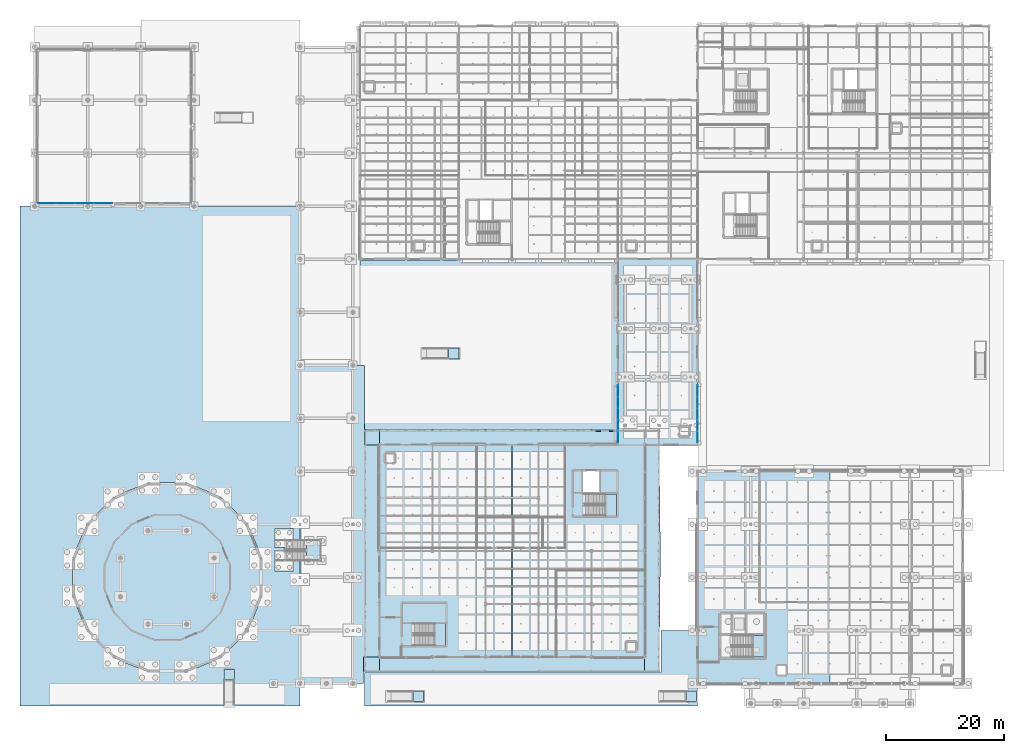
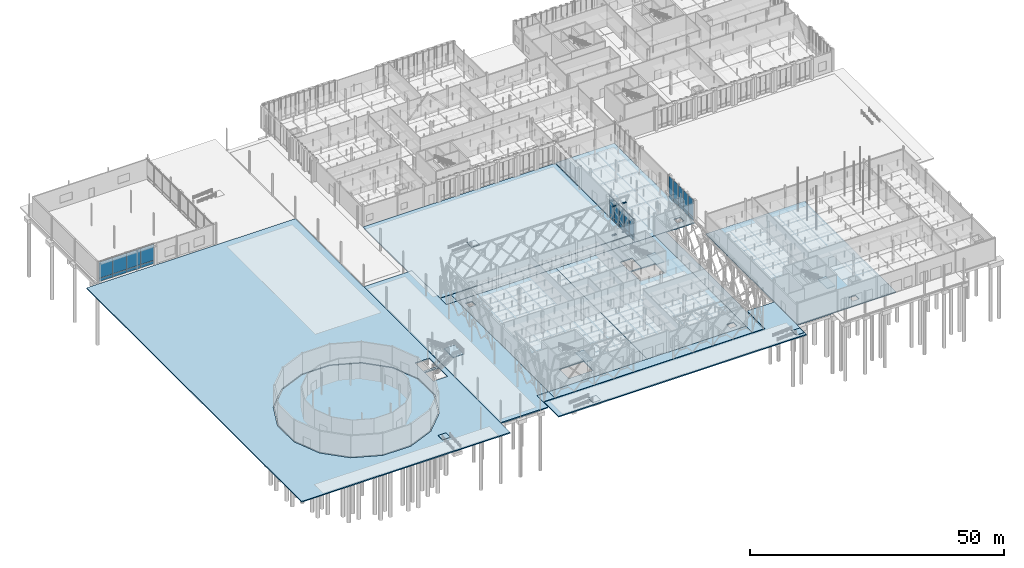
# One storey, part 70 of 180: 28 plates, 22 slabs, 4 members, 11 elements without a shape of their own.
"""IFC4 building model written with IfcOpenShell, lengths in metres."""

from ifc_helpers import new_model, si_unit, direction, frame, origin, origin_2d, place, context, subcontext, project, spatial, polyline, rectangle, hollow_rectangle, outline, extrude, material, layer, layer_set, material_profile, profile_set, type_object, element, aggregate, save


model = new_model("IFC4")

# Units and contexts
model_context = context("Model", 3, precision=1e-05, world=origin(), true_north=direction((0.0, 1.0)))
body_context = subcontext(model_context, "Body", "Model", "MODEL_VIEW")
ifc_project = project(units=[si_unit("LENGTHUNIT", "METRE"), si_unit("AREAUNIT", "SQUARE_METRE"), si_unit("VOLUMEUNIT", "CUBIC_METRE"), si_unit("PLANEANGLEUNIT", "RADIAN"), si_unit("MASSUNIT", "GRAM", prefix="KILO"), si_unit("THERMODYNAMICTEMPERATUREUNIT", "KELVIN"), si_unit("POWERUNIT", "WATT")], contexts=[model_context])

# Site, building, storey
site_placement = place(None, origin())
site = spatial("IfcSite", under=ifc_project, at=site_placement, CompositionType="ELEMENT")
building_placement = place(site_placement, origin())
building = spatial("IfcBuilding", under=site, at=building_placement, Name="Tallowbark Science Centre", CompositionType="ELEMENT")
storey_placement = place(building_placement, origin())
storey = spatial("IfcBuildingStorey", under=building, at=storey_placement, Name="L00", CompositionType="ELEMENT", Elevation=0.0)

# Members
ifc_material_1 = material(Name="White Architectural Painted Steel Grade C350L0 (350 MPa)", Category="steel")
ifc_material_profile = material_profile(ifc_material_1, hollow_rectangle(XDim=0.199951171875, YDim=0.199951171875, WallThickness=0.009033203125, at=origin_2d()), Name="200x200x9.0SHS")
ifc_profile_set = profile_set([ifc_material_profile], Name="White Architectural Painted Steel Grade C350L0 (350 MPa)")
member_type = type_object("IfcMemberType", Name="SCR-SUB150", PredefinedType="BRACE", material=ifc_profile_set)
for number, where, z_axis, x_axis, name in (
    (1, (95.175048828125, 42.89990234375, 1.485107421875), (1.0, 0.0, 0.0), (0.0, 1.0, 0.0), "Star Screen Octagram Point Ray N-9-1"),
    (2, (98.324951171875, 42.89990234375, 1.485107421875), (-1.0, 0.0, 0.0), (0.0, -1.0, 0.0), "Star Screen Octagram Point Ray N-9-3"),
    (3, (98.324951171875, 42.89990234375, 8.4150390625), (-1.0, 0.0, 0.0), (0.0, -1.0, 0.0), "Star Screen Octagram Point Ray N-9-5"),
    (4, (95.175048828125, 42.89990234375, 8.4150390625), (1.0, 0.0, 0.0), (0.0, 1.0, 0.0), "Star Screen Octagram Point Ray N-9-7"),
):
    element("IfcMember", number, at=place(storey_placement, frame(where, z_axis=z_axis, x_axis=x_axis)), inside=storey, type_object=member_type, Name=name, PredefinedType="BRACE", context=body_context, shape_type="SweptSolid", body=[
        extrude(hollow_rectangle(XDim=0.199951171875, YDim=0.199951171875, WallThickness=0.009033203125, at=origin_2d()), origin(), (0.0, 0.0, 1.0), 0.89990234375),
    ])

# Curtain wall, plates
ifc_material_2 = material(Name="Unitised Thermally Broken Aluminium and Low-E Double Glazing", Category="aluminium")
curtain_wall_type = type_object("IfcCurtainWallType", Name="CW-SYS-FACADE", PredefinedType="NOTDEFINED", material=ifc_material_2)
curtain_wall_1_placement = place(storey_placement, origin())
curtain_wall_1 = element("IfcCurtainWall", 5, at=curtain_wall_1_placement, inside=storey, type_object=curtain_wall_type, Name="Unitised Curtain Wall LNK-E-0 CW-L00-007", PredefinedType="NOTDEFINED")
ifc_material_3 = material(Name="Double Glazed Argon Low-E Vision Glass", Category="glass")
ifc_layer_1 = layer(ifc_material_3, 0.028076171875)
ifc_layer_set_1 = layer_set([ifc_layer_1], Name="Double Glazed Argon Low-E Vision Glass")
plate_type_1 = type_object("IfcPlateType", Name="CWP-GLZ-28", PredefinedType="CURTAIN_PANEL", material=ifc_layer_set_1)
plate_1_placement = place(storey_placement, frame((112.5, 41.84619140625, 0.054931640625), z_axis=(0.0, 0.0, 1.0), x_axis=(0.0, 1.0, 0.0)))
plate_1 = element("IfcPlate", 6, at=plate_1_placement, type_object=plate_type_1, Name="CW-01 panel 1.1", PredefinedType="CURTAIN_PANEL", context=body_context, shape_type="SweptSolid", body=[
    extrude(rectangle(XDim=1.862548828125, YDim=0.028076171875, at=origin_2d()), origin(), (0.0, 0.0, 1.0), 0.767578125),
])
plate_2_placement = place(storey_placement, frame((112.5, 41.84619140625, 0.87744140625), z_axis=(0.0, 0.0, 1.0), x_axis=(0.0, 1.0, 0.0)))
plate_2 = element("IfcPlate", 7, at=plate_2_placement, type_object=plate_type_1, Name="CW-01 panel 1.2", PredefinedType="CURTAIN_PANEL", context=body_context, shape_type="SweptSolid", body=[
    extrude(rectangle(XDim=1.862548828125, YDim=0.028076171875, at=origin_2d()), origin(), (0.0, 0.0, 1.0), 4.28759765625),
])
plate_3_placement = place(storey_placement, frame((112.5, 43.7900390625, 0.054931640625), z_axis=(0.0, 0.0, 1.0), x_axis=(0.0, 1.0, 0.0)))
plate_3 = element("IfcPlate", 8, at=plate_3_placement, type_object=plate_type_1, Name="CW-01 panel 2.1", PredefinedType="CURTAIN_PANEL", context=body_context, shape_type="SweptSolid", body=[
    extrude(rectangle(XDim=1.89501953125, YDim=0.028076171875, at=origin_2d()), origin(), (0.0, 0.0, 1.0), 0.767578125),
])
plate_4_placement = place(storey_placement, frame((112.5, 43.7900390625, 0.87744140625), z_axis=(0.0, 0.0, 1.0), x_axis=(0.0, 1.0, 0.0)))
plate_4 = element("IfcPlate", 9, at=plate_4_placement, type_object=plate_type_1, Name="CW-01 panel 2.2", PredefinedType="CURTAIN_PANEL", context=body_context, shape_type="SweptSolid", body=[
    extrude(rectangle(XDim=1.89501953125, YDim=0.028076171875, at=origin_2d()), origin(), (0.0, 0.0, 1.0), 4.28759765625),
])
plate_5_placement = place(storey_placement, frame((112.5, 45.75, 0.054931640625), z_axis=(0.0, 0.0, 1.0), x_axis=(0.0, 1.0, 0.0)))
plate_5 = element("IfcPlate", 10, at=plate_5_placement, type_object=plate_type_1, Name="CW-01 panel 3.1", PredefinedType="CURTAIN_PANEL", context=body_context, shape_type="SweptSolid", body=[
    extrude(rectangle(XDim=1.89501953125, YDim=0.028076171875, at=origin_2d()), origin(), (0.0, 0.0, 1.0), 0.767578125),
])
plate_6_placement = place(storey_placement, frame((112.5, 45.75, 0.87744140625), z_axis=(0.0, 0.0, 1.0), x_axis=(0.0, 1.0, 0.0)))
plate_6 = element("IfcPlate", 11, at=plate_6_placement, type_object=plate_type_1, Name="CW-01 panel 3.2", PredefinedType="CURTAIN_PANEL", context=body_context, shape_type="SweptSolid", body=[
    extrude(rectangle(XDim=1.89501953125, YDim=0.028076171875, at=origin_2d()), origin(), (0.0, 0.0, 1.0), 4.28759765625),
])
plate_7_placement = place(storey_placement, frame((112.5, 47.7099609375, 0.054931640625), z_axis=(0.0, 0.0, 1.0), x_axis=(0.0, 1.0, 0.0)))
plate_7 = element("IfcPlate", 12, at=plate_7_placement, type_object=plate_type_1, Name="CW-01 panel 4.1", PredefinedType="CURTAIN_PANEL", context=body_context, shape_type="SweptSolid", body=[
    extrude(rectangle(XDim=1.89501953125, YDim=0.028076171875, at=origin_2d()), origin(), (0.0, 0.0, 1.0), 0.767578125),
])
plate_8_placement = place(storey_placement, frame((112.5, 47.7099609375, 0.87744140625), z_axis=(0.0, 0.0, 1.0), x_axis=(0.0, 1.0, 0.0)))
plate_8 = element("IfcPlate", 13, at=plate_8_placement, type_object=plate_type_1, Name="CW-01 panel 4.2", PredefinedType="CURTAIN_PANEL", context=body_context, shape_type="SweptSolid", body=[
    extrude(rectangle(XDim=1.89501953125, YDim=0.028076171875, at=origin_2d()), origin(), (0.0, 0.0, 1.0), 4.28759765625),
])
plate_9_placement = place(storey_placement, frame((112.5, 49.65380859375, 0.054931640625), z_axis=(0.0, 0.0, 1.0), x_axis=(0.0, 1.0, 0.0)))
plate_9 = element("IfcPlate", 14, at=plate_9_placement, type_object=plate_type_1, Name="CW-01 panel 5.1", PredefinedType="CURTAIN_PANEL", context=body_context, shape_type="SweptSolid", body=[
    extrude(rectangle(XDim=1.862548828125, YDim=0.028076171875, at=origin_2d()), origin(), (0.0, 0.0, 1.0), 0.767578125),
])
plate_10_placement = place(storey_placement, frame((112.5, 49.65380859375, 0.87744140625), z_axis=(0.0, 0.0, 1.0), x_axis=(0.0, 1.0, 0.0)))
plate_10 = element("IfcPlate", 15, at=plate_10_placement, type_object=plate_type_1, Name="CW-01 panel 5.2", PredefinedType="CURTAIN_PANEL", context=body_context, shape_type="SweptSolid", body=[
    extrude(rectangle(XDim=1.862548828125, YDim=0.028076171875, at=origin_2d()), origin(), (0.0, 0.0, 1.0), 4.28759765625),
])
aggregate(curtain_wall_1, [plate_1, plate_2, plate_3, plate_4, plate_5, plate_6, plate_7, plate_8, plate_9, plate_10])

curtain_wall_2_placement = place(storey_placement, origin())
curtain_wall_2 = element("IfcCurtainWall", 16, at=curtain_wall_2_placement, inside=storey, type_object=curtain_wall_type, Name="Unitised Curtain Wall PRK-S-1 CW-L00-200", PredefinedType="NOTDEFINED")
plate_11_placement = place(storey_placement, frame((2.103759765625, 81.5, 0.054931640625), z_axis=(0.0, 0.0, 1.0), x_axis=(1.0, 0.0, 0.0)))
plate_11 = element("IfcPlate", 17, at=plate_11_placement, type_object=plate_type_1, Name="CW-01 panel 1.1", PredefinedType="CURTAIN_PANEL", context=body_context, shape_type="SweptSolid", body=[
    extrude(rectangle(XDim=3.077392578125, YDim=0.028076171875, at=origin_2d()), origin(), (0.0, 0.0, 1.0), 0.767578125),
])
plate_12_placement = place(storey_placement, frame((2.103759765625, 81.5, 0.87744140625), z_axis=(0.0, 0.0, 1.0), x_axis=(1.0, 0.0, 0.0)))
plate_12 = element("IfcPlate", 18, at=plate_12_placement, type_object=plate_type_1, Name="CW-01 panel 1.2", PredefinedType="CURTAIN_PANEL", context=body_context, shape_type="SweptSolid", body=[
    extrude(rectangle(XDim=3.077392578125, YDim=0.028076171875, at=origin_2d()), origin(), (0.0, 0.0, 1.0), 3.867431640625),
])
plate_13_placement = place(storey_placement, frame((5.262451171875, 81.5, 0.054931640625), z_axis=(0.0, 0.0, 1.0), x_axis=(1.0, 0.0, 0.0)))
plate_13 = element("IfcPlate", 19, at=plate_13_placement, type_object=plate_type_1, Name="CW-01 panel 2.1", PredefinedType="CURTAIN_PANEL", context=body_context, shape_type="SweptSolid", body=[
    extrude(rectangle(XDim=3.110107421875, YDim=0.028076171875, at=origin_2d()), origin(), (0.0, 0.0, 1.0), 0.767578125),
])
plate_14_placement = place(storey_placement, frame((5.262451171875, 81.5, 0.87744140625), z_axis=(0.0, 0.0, 1.0), x_axis=(1.0, 0.0, 0.0)))
plate_14 = element("IfcPlate", 20, at=plate_14_placement, type_object=plate_type_1, Name="CW-01 panel 2.2", PredefinedType="CURTAIN_PANEL", context=body_context, shape_type="SweptSolid", body=[
    extrude(rectangle(XDim=3.110107421875, YDim=0.028076171875, at=origin_2d()), origin(), (0.0, 0.0, 1.0), 3.867431640625),
])
plate_15_placement = place(storey_placement, frame((8.4375, 81.5, 0.054931640625), z_axis=(0.0, 0.0, 1.0), x_axis=(1.0, 0.0, 0.0)))
plate_15 = element("IfcPlate", 21, at=plate_15_placement, type_object=plate_type_1, Name="CW-01 panel 3.1", PredefinedType="CURTAIN_PANEL", context=body_context, shape_type="SweptSolid", body=[
    extrude(rectangle(XDim=3.110107421875, YDim=0.028076171875, at=origin_2d()), origin(), (0.0, 0.0, 1.0), 0.767578125),
])
plate_16_placement = place(storey_placement, frame((8.4375, 81.5, 0.87744140625), z_axis=(0.0, 0.0, 1.0), x_axis=(1.0, 0.0, 0.0)))
plate_16 = element("IfcPlate", 22, at=plate_16_placement, type_object=plate_type_1, Name="CW-01 panel 3.2", PredefinedType="CURTAIN_PANEL", context=body_context, shape_type="SweptSolid", body=[
    extrude(rectangle(XDim=3.110107421875, YDim=0.028076171875, at=origin_2d()), origin(), (0.0, 0.0, 1.0), 3.867431640625),
])
plate_17_placement = place(storey_placement, frame((11.59619140625, 81.5, 0.054931640625), z_axis=(0.0, 0.0, 1.0), x_axis=(1.0, 0.0, 0.0)))
plate_17 = element("IfcPlate", 23, at=plate_17_placement, type_object=plate_type_1, Name="CW-01 panel 4.1", PredefinedType="CURTAIN_PANEL", context=body_context, shape_type="SweptSolid", body=[
    extrude(rectangle(XDim=3.077392578125, YDim=0.028076171875, at=origin_2d()), origin(), (0.0, 0.0, 1.0), 0.767578125),
])
plate_18_placement = place(storey_placement, frame((11.59619140625, 81.5, 0.87744140625), z_axis=(0.0, 0.0, 1.0), x_axis=(1.0, 0.0, 0.0)))
plate_18 = element("IfcPlate", 24, at=plate_18_placement, type_object=plate_type_1, Name="CW-01 panel 4.2", PredefinedType="CURTAIN_PANEL", context=body_context, shape_type="SweptSolid", body=[
    extrude(rectangle(XDim=3.077392578125, YDim=0.028076171875, at=origin_2d()), origin(), (0.0, 0.0, 1.0), 3.867431640625),
])
aggregate(curtain_wall_2, [plate_11, plate_12, plate_13, plate_14, plate_15, plate_16, plate_17, plate_18])

curtain_wall_3_placement = place(storey_placement, origin())
curtain_wall_3 = element("IfcCurtainWall", 25, at=curtain_wall_3_placement, inside=storey, type_object=curtain_wall_type, Name="Unitised Curtain Wall LNK-W-0 CW-L00-006", PredefinedType="NOTDEFINED")
ifc_material_4 = material(Name="Ceramic-Fritted Insulated Glass Spandrel Panel", Category="glass")
ifc_layer_2 = layer(ifc_material_4, 0.031982421875)
ifc_layer_set_2 = layer_set([ifc_layer_2], Name="Ceramic-Fritted Insulated Glass Spandrel Panel")
plate_type_2 = type_object("IfcPlateType", Name="CWP-SPN-32", PredefinedType="CURTAIN_PANEL", material=ifc_layer_set_2)
plate_19_placement = place(storey_placement, frame((99.0, 49.65380859375, 0.054931640625), z_axis=(0.0, 0.0, 1.0), x_axis=(0.0, -1.0, 0.0)))
plate_19 = element("IfcPlate", 26, at=plate_19_placement, type_object=plate_type_2, Name="CW-01 panel 1.1", PredefinedType="CURTAIN_PANEL", context=body_context, shape_type="SweptSolid", body=[
    extrude(rectangle(XDim=1.862548828125, YDim=0.031982421875, at=origin_2d()), origin(), (0.0, 0.0, 1.0), 0.767578125),
])
plate_20_placement = place(storey_placement, frame((99.0, 49.65380859375, 0.87744140625), z_axis=(0.0, 0.0, 1.0), x_axis=(0.0, -1.0, 0.0)))
plate_20 = element("IfcPlate", 27, at=plate_20_placement, type_object=plate_type_2, Name="CW-01 panel 1.2", PredefinedType="CURTAIN_PANEL", context=body_context, shape_type="SweptSolid", body=[
    extrude(rectangle(XDim=1.862548828125, YDim=0.031982421875, at=origin_2d()), origin(), (0.0, 0.0, 1.0), 4.28759765625),
])
plate_21_placement = place(storey_placement, frame((99.0, 47.7099609375, 0.054931640625), z_axis=(0.0, 0.0, 1.0), x_axis=(0.0, -1.0, 0.0)))
plate_21 = element("IfcPlate", 28, at=plate_21_placement, type_object=plate_type_2, Name="CW-01 panel 2.1", PredefinedType="CURTAIN_PANEL", context=body_context, shape_type="SweptSolid", body=[
    extrude(rectangle(XDim=1.89501953125, YDim=0.031982421875, at=origin_2d()), origin(), (0.0, 0.0, 1.0), 0.767578125),
])
plate_22_placement = place(storey_placement, frame((99.0, 47.7099609375, 0.87744140625), z_axis=(0.0, 0.0, 1.0), x_axis=(0.0, -1.0, 0.0)))
plate_22 = element("IfcPlate", 29, at=plate_22_placement, type_object=plate_type_2, Name="CW-01 panel 2.2", PredefinedType="CURTAIN_PANEL", context=body_context, shape_type="SweptSolid", body=[
    extrude(rectangle(XDim=1.89501953125, YDim=0.031982421875, at=origin_2d()), origin(), (0.0, 0.0, 1.0), 4.28759765625),
])
plate_23_placement = place(storey_placement, frame((99.0, 45.75, 0.054931640625), z_axis=(0.0, 0.0, 1.0), x_axis=(0.0, -1.0, 0.0)))
plate_23 = element("IfcPlate", 30, at=plate_23_placement, type_object=plate_type_2, Name="CW-01 panel 3.1", PredefinedType="CURTAIN_PANEL", context=body_context, shape_type="SweptSolid", body=[
    extrude(rectangle(XDim=1.89501953125, YDim=0.031982421875, at=origin_2d()), origin(), (0.0, 0.0, 1.0), 0.767578125),
])
plate_24_placement = place(storey_placement, frame((99.0, 45.75, 0.87744140625), z_axis=(0.0, 0.0, 1.0), x_axis=(0.0, -1.0, 0.0)))
plate_24 = element("IfcPlate", 31, at=plate_24_placement, type_object=plate_type_2, Name="CW-01 panel 3.2", PredefinedType="CURTAIN_PANEL", context=body_context, shape_type="SweptSolid", body=[
    extrude(rectangle(XDim=1.89501953125, YDim=0.031982421875, at=origin_2d()), origin(), (0.0, 0.0, 1.0), 4.28759765625),
])
plate_25_placement = place(storey_placement, frame((99.0, 43.7900390625, 0.054931640625), z_axis=(0.0, 0.0, 1.0), x_axis=(0.0, -1.0, 0.0)))
plate_25 = element("IfcPlate", 32, at=plate_25_placement, type_object=plate_type_2, Name="CW-01 panel 4.1", PredefinedType="CURTAIN_PANEL", context=body_context, shape_type="SweptSolid", body=[
    extrude(rectangle(XDim=1.89501953125, YDim=0.031982421875, at=origin_2d()), origin(), (0.0, 0.0, 1.0), 0.767578125),
])
plate_26_placement = place(storey_placement, frame((99.0, 43.7900390625, 0.87744140625), z_axis=(0.0, 0.0, 1.0), x_axis=(0.0, -1.0, 0.0)))
plate_26 = element("IfcPlate", 33, at=plate_26_placement, type_object=plate_type_2, Name="CW-01 panel 4.2", PredefinedType="CURTAIN_PANEL", context=body_context, shape_type="SweptSolid", body=[
    extrude(rectangle(XDim=1.89501953125, YDim=0.031982421875, at=origin_2d()), origin(), (0.0, 0.0, 1.0), 4.28759765625),
])
plate_27_placement = place(storey_placement, frame((99.0, 41.84619140625, 0.054931640625), z_axis=(0.0, 0.0, 1.0), x_axis=(0.0, -1.0, 0.0)))
plate_27 = element("IfcPlate", 34, at=plate_27_placement, type_object=plate_type_2, Name="CW-01 panel 5.1", PredefinedType="CURTAIN_PANEL", context=body_context, shape_type="SweptSolid", body=[
    extrude(rectangle(XDim=1.862548828125, YDim=0.031982421875, at=origin_2d()), origin(), (0.0, 0.0, 1.0), 0.767578125),
])
plate_28_placement = place(storey_placement, frame((99.0, 41.84619140625, 0.87744140625), z_axis=(0.0, 0.0, 1.0), x_axis=(0.0, -1.0, 0.0)))
plate_28 = element("IfcPlate", 35, at=plate_28_placement, type_object=plate_type_2, Name="CW-01 panel 5.2", PredefinedType="CURTAIN_PANEL", context=body_context, shape_type="SweptSolid", body=[
    extrude(rectangle(XDim=1.862548828125, YDim=0.031982421875, at=origin_2d()), origin(), (0.0, 0.0, 1.0), 4.28759765625),
])
aggregate(curtain_wall_3, [plate_19, plate_20, plate_21, plate_22, plate_23, plate_24, plate_25, plate_26, plate_27, plate_28])

# Slabs
ifc_material_5 = material(Name="Concrete Grade N40 (40 MPa)", Category="concrete")
ifc_layer_3 = layer(ifc_material_5, 0.260009765625)
ifc_layer_set_3 = layer_set([ifc_layer_3], Name="Concrete Grade N40 (40 MPa)")
slab_type_1 = type_object("IfcSlabType", Name="SLB-BASE-260", PredefinedType="BASESLAB", material=ifc_layer_set_3)
slab_1_placement = place(storey_placement, frame((0.0, 0.0, -0.260009765625)))
element("IfcSlab", 36, at=slab_1_placement, inside=storey, type_object=slab_type_1, Name="Star Screen SW Corner Plinth SLB-SCR-PLINTH-WS", PredefinedType="BASESLAB", context=body_context, shape_type="SweptSolid", body=[
    extrude(outline(polyline([(55.800048828125, 2.0), (58.5, 2.0), (58.5, 4.5), (55.800048828125, 4.5), (55.800048828125, 2.0)])), origin(), (0.0, 0.0, 1.0), 0.260009765625),
])
slab_2_placement = place(storey_placement, frame((0.0, 0.0, -0.260009765625)))
element("IfcSlab", 37, at=slab_2_placement, inside=storey, type_object=slab_type_1, Name="Star Screen NW Corner Plinth SLB-SCR-PLINTH-WN", PredefinedType="BASESLAB", context=body_context, shape_type="SweptSolid", body=[
    extrude(outline(polyline([(56.0, 40.5), (58.5, 40.5), (58.5, 43.0), (56.0, 43.0), (56.0, 40.5)])), origin(), (0.0, 0.0, 1.0), 0.260009765625),
])
slab_3_placement = place(storey_placement, frame((0.0, 0.0, -0.260009765625)))
element("IfcSlab", 38, at=slab_3_placement, inside=storey, type_object=slab_type_1, Name="Star Screen East Plinth SLB-SCR-PLINTH-E", PredefinedType="BASESLAB", context=body_context, shape_type="SweptSolid", body=[
    extrude(outline(polyline([(103.5, 2.0), (106.0, 2.0), (106.199951171875, 22.0), (106.0, 40.5), (103.5, 40.5), (103.5, 2.0)])), origin(), (0.0, 0.0, 1.0), 0.260009765625),
])
slab_4_placement = place(storey_placement, frame((0.0, 0.0, -0.260009765625)))
element("IfcSlab", 39, at=slab_4_placement, inside=storey, type_object=slab_type_1, Name="Star Screen South Portal Plinth SLB-SCR-PLINTH-S", PredefinedType="BASESLAB", context=body_context, shape_type="SweptSolid", body=[
    extrude(outline(polyline([(58.5, 2.0), (103.5, 2.0), (103.5, 4.5), (58.5, 4.5), (58.5, 2.0)])), origin(), (0.0, 0.0, 1.0), 0.260009765625),
])
slab_5_placement = place(storey_placement, frame((0.0, 0.0, -0.260009765625)))
element("IfcSlab", 40, at=slab_5_placement, inside=storey, type_object=slab_type_1, Name="Star Screen North Plinth SLB-SCR-PLINTH-N", PredefinedType="BASESLAB", context=body_context, shape_type="SweptSolid", body=[
    extrude(outline(polyline([(58.5, 40.5), (99.0, 40.5), (99.0, 43.0), (58.5, 43.0), (58.5, 40.5)])), origin(), (0.0, 0.0, 1.0), 0.260009765625),
])
slab_6_placement = place(storey_placement, frame((0.0, 0.0, -0.260009765625)))
element("IfcSlab", 41, at=slab_6_placement, inside=storey, type_object=slab_type_1, Name="Covered Public Passage South Slab SLB-PAS-S-L00", PredefinedType="BASESLAB", context=body_context, shape_type="SweptSolid", body=[
    extrude(outline(polyline([(45.0, 0.0), (55.800048828125, 0.0), (55.800048828125, 4.5), (58.5, 4.5), (58.5, 40.5), (56.0, 40.5), (56.0, 54.0), (45.0, 54.0), (45.0, 0.0)])), origin(), (0.0, 0.0, 1.0), 0.260009765625),
])
slab_7_placement = place(storey_placement, frame((0.0, 0.0, -0.280029296875)))
element("IfcSlab", 42, at=slab_7_placement, inside=storey, type_object=slab_type_1, Name="Civic Sandstone Plaza Slab SLB-PLZ-PRK-W", PredefinedType="BASESLAB", context=body_context, shape_type="SweptSolid", body=[
    extrude(outline(polyline([(-2.5, 81.0), (45.0, 81.0), (45.0, -3.800048828125), (-2.5, -3.800048828125), (-2.5, 81.0)]), holes=[polyline([(36.135986328125, 27.111328125), (31.611328125, 31.635986328125), (25.699462890625, 34.0849609375), (19.300537109375, 34.0849609375), (13.388671875, 31.635986328125), (8.864013671875, 27.111328125), (6.4150390625, 21.199462890625), (6.4150390625, 14.800537109375), (8.864013671875, 8.888671875), (13.388671875, 4.364013671875), (19.300537109375, 1.9150390625), (25.699462890625, 1.9150390625), (31.611328125, 4.364013671875), (36.135986328125, 8.888671875), (38.5849609375, 14.800537109375), (38.5849609375, 21.199462890625), (36.135986328125, 27.111328125)]), polyline([(43.89990234375, 19.050048828125), (43.89990234375, 22.550048828125), (40.699951171875, 22.550048828125), (40.699951171875, 19.050048828125), (43.89990234375, 19.050048828125)]), polyline([(43.89990234375, 23.050048828125), (43.89990234375, 26.25), (40.699951171875, 26.25), (40.699951171875, 23.050048828125), (43.89990234375, 23.050048828125)]), polyline([(33.909912109375, 2.409912109375), (32.090087890625, 2.409912109375), (32.090087890625, 0.590087890625), (33.909912109375, 0.590087890625), (33.909912109375, 2.409912109375)])]), origin(), (0.0, 0.0, 1.0), 0.260009765625),
])
slab_8_placement = place(storey_placement, frame((0.0, 0.0, -0.280029296875)))
element("IfcSlab", 43, at=slab_8_placement, inside=storey, type_object=slab_type_1, Name="Civic Sandstone Plaza Slab SLB-PLZ-FOR-S", PredefinedType="BASESLAB", context=body_context, shape_type="SweptSolid", body=[
    extrude(outline(polyline([(56.0, 1.89990234375), (106.300048828125, 1.89990234375), (106.300048828125, 9.0), (112.47509765625, 9.0), (112.47509765625, -3.800048828125), (56.0, -3.800048828125), (56.0, 1.89990234375)]), holes=[polyline([(64.18994140625, -1.2900390625), (64.18994140625, -3.110107421875), (66.010009765625, -3.110107421875), (66.010009765625, -1.2900390625), (64.18994140625, -1.2900390625)]), polyline([(112.31005859375, -1.2900390625), (110.489990234375, -1.2900390625), (110.489990234375, -3.110107421875), (112.31005859375, -3.110107421875), (112.31005859375, -1.2900390625)])]), origin(), (0.0, 0.0, 1.0), 0.260009765625),
])
slab_9_placement = place(storey_placement, frame((0.0, 0.0, -0.280029296875)))
element("IfcSlab", 44, at=slab_9_placement, inside=storey, type_object=slab_type_1, Name="Civic Sandstone Plaza Slab SLB-PLZ-CRT-C", PredefinedType="BASESLAB", context=body_context, shape_type="SweptSolid", body=[
    extrude(outline(polyline([(56.0, 54.0), (55.199951171875, 54.0), (55.199951171875, 71.89990234375), (98.89990234375, 71.89990234375), (98.89990234375, 43.10009765625), (56.0, 43.10009765625), (56.0, 54.0)]), holes=[polyline([(70.18994140625, 56.909912109375), (70.18994140625, 55.090087890625), (72.010009765625, 55.090087890625), (72.010009765625, 56.909912109375), (70.18994140625, 56.909912109375)])]), origin(), (0.0, 0.0, 1.0), 0.260009765625),
])
ifc_layer_4 = layer(ifc_material_5, 0.219970703125)
ifc_layer_set_4 = layer_set([ifc_layer_4], Name="Concrete Grade N40 (40 MPa)")
slab_type_2 = type_object("IfcSlabType", Name="SLB-GND-220", PredefinedType="FLOOR", material=ifc_layer_set_4)
slab_10_placement = place(storey_placement, frame((0.0, 0.0, -0.219970703125)))
element("IfcSlab", 45, at=slab_10_placement, inside=storey, type_object=slab_type_2, Name="East Link Gallery Slab SLB-LNK-L00", PredefinedType="FLOOR", context=body_context, shape_type="SweptSolid", body=[
    extrude(outline(polyline([(99.0, 40.5), (112.47509765625, 40.5), (112.47509765625, 72.0), (99.0, 72.0), (99.0, 40.5)]), holes=[polyline([(109.5, 42.0), (111.0, 42.0), (111.0, 43.5), (109.5, 43.5), (109.5, 42.0)])]), origin(), (0.0, 0.0, 1.0), 0.219970703125),
])
ifc_layer_5 = layer(ifc_material_5, 0.239990234375)
ifc_layer_set_5 = layer_set([ifc_layer_5], Name="Concrete Grade N40 (40 MPa)")
slab_type_3 = type_object("IfcSlabType", Name="SLB-GND-240", PredefinedType="FLOOR", material=ifc_layer_set_5)
slab_11_placement = place(storey_placement, frame((0.0, 0.0, -0.239990234375)))
element("IfcSlab", 46, at=slab_11_placement, inside=storey, type_object=slab_type_3, Name="Planetarium Ground Slab SLB-DRM-L00", PredefinedType="FLOOR", context=body_context, shape_type="SweptSolid", body=[
    extrude(outline(polyline([(38.388671875, 21.160400390625), (35.9697265625, 27.000244140625), (31.500244140625, 31.4697265625), (25.660400390625, 33.888671875), (19.339599609375, 33.888671875), (13.499755859375, 31.4697265625), (9.0302734375, 27.000244140625), (6.611328125, 21.160400390625), (6.611328125, 14.839599609375), (9.0302734375, 8.999755859375), (13.499755859375, 4.5302734375), (19.339599609375, 2.111328125), (25.660400390625, 2.111328125), (31.500244140625, 4.5302734375), (35.9697265625, 8.999755859375), (38.388671875, 14.839599609375), (38.388671875, 21.160400390625)])), origin(), (0.0, 0.0, 1.0), 0.239990234375),
])
slab_12_placement = place(storey_placement, frame((0.0, 0.0, -0.239990234375)))
element("IfcSlab", 47, at=slab_12_placement, inside=storey, type_object=slab_type_3, Name="Exhibition Hall West Slab SLB-CUB-W-L00", PredefinedType="FLOOR", context=body_context, shape_type="SweptSolid", body=[
    extrude(outline(polyline([(58.5, 4.5), (81.0, 4.5), (81.0, 40.5), (58.5, 40.5), (58.5, 4.5)]), holes=[polyline([(64.2099609375, 6.449951171875), (69.75, 6.449951171875), (69.75, 10.169921875), (64.2099609375, 10.169921875), (64.2099609375, 6.449951171875)]), polyline([(59.5, 37.5), (61.0, 37.5), (61.0, 39.0), (59.5, 39.0), (59.5, 37.5)])]), origin(), (0.0, 0.0, 1.0), 0.239990234375),
])
slab_13_placement = place(storey_placement, frame((0.0, 0.0, -0.239990234375)))
element("IfcSlab", 48, at=slab_13_placement, inside=storey, type_object=slab_type_3, Name="Exhibition Hall East Slab SLB-CUB-E-L00", PredefinedType="FLOOR", context=body_context, shape_type="SweptSolid", body=[
    extrude(outline(polyline([(81.0, 4.5), (103.5, 4.5), (103.5, 40.5), (81.0, 40.5), (81.0, 4.5)]), holes=[polyline([(93.2099609375, 28.449951171875), (98.75, 28.449951171875), (98.75, 32.169921875), (93.2099609375, 32.169921875), (93.2099609375, 28.449951171875)]), polyline([(93.0, 32.419921875), (95.800048828125, 32.419921875), (95.800048828125, 36.050048828125), (93.0, 36.050048828125), (93.0, 32.419921875)]), polyline([(100.5, 5.5), (102.0, 5.5), (102.0, 7.0), (100.5, 7.0), (100.5, 5.5)])]), origin(), (0.0, 0.0, 1.0), 0.239990234375),
])
slab_14_placement = place(storey_placement, frame((0.0, 0.0, -0.239990234375)))
element("IfcSlab", 49, at=slab_14_placement, inside=storey, type_object=slab_type_3, Name="Theatre West Slab SLB-THT-W-L00", PredefinedType="FLOOR", context=body_context, shape_type="SweptSolid", body=[
    extrude(outline(polyline([(112.52490234375, 0.0), (135.0, 0.0), (135.0, 36.0), (112.52490234375, 36.0), (112.52490234375, 0.0)]), holes=[polyline([(126.0, 1.5), (127.5, 1.5), (127.5, 3.0), (126.0, 3.0), (126.0, 1.5)])]), origin(), (0.0, 0.0, 1.0), 0.239990234375),
])

# Ramp, slab
ramp_type = type_object("IfcRampType", Name="RMP-ACC-14", PredefinedType="STRAIGHT_RUN_RAMP", material=ifc_material_5)
ramp_1_placement = place(storey_placement, origin())
ramp_1 = element("IfcRamp", 50, at=ramp_1_placement, inside=storey, type_object=ramp_type, Name="Accessible 1:14 Ramp RMP-01", PredefinedType="STRAIGHT_RUN_RAMP")
ifc_layer_6 = layer(ifc_material_5, 0.159912109375)
ifc_layer_set_6 = layer_set([ifc_layer_6], Name="Concrete Grade N40 (40 MPa)")
slab_type_4 = type_object("IfcSlabType", Name="SLB-LND-160", PredefinedType="LANDING", material=ifc_layer_set_6)
slab_15_placement = place(storey_placement, frame((0.0, 0.0, -0.159912109375)))
slab_15 = element("IfcSlab", 51, at=slab_15_placement, type_object=slab_type_4, Name="Ramp Arrival Landing RMP-01", PredefinedType="LANDING", context=body_context, shape_type="SweptSolid", body=[
    extrude(outline(polyline([(64.199951171875, -3.10009765625), (66.0, -3.10009765625), (66.0, -1.300048828125), (64.199951171875, -1.300048828125), (64.199951171875, -3.10009765625)])), origin(), (0.0, 0.0, 1.0), 0.159912109375),
])
aggregate(ramp_1, [slab_15])

ramp_2_placement = place(storey_placement, origin())
ramp_2 = element("IfcRamp", 52, at=ramp_2_placement, inside=storey, type_object=ramp_type, Name="Accessible 1:14 Ramp RMP-02", PredefinedType="STRAIGHT_RUN_RAMP")
slab_16_placement = place(storey_placement, frame((0.0, 0.0, -0.159912109375)))
slab_16 = element("IfcSlab", 53, at=slab_16_placement, type_object=slab_type_4, Name="Ramp Arrival Landing RMP-02", PredefinedType="LANDING", context=body_context, shape_type="SweptSolid", body=[
    extrude(outline(polyline([(32.10009765625, 0.60009765625), (33.89990234375, 0.60009765625), (33.89990234375, 2.39990234375), (32.10009765625, 2.39990234375), (32.10009765625, 0.60009765625)])), origin(), (0.0, 0.0, 1.0), 0.159912109375),
])
aggregate(ramp_2, [slab_16])

ramp_3_placement = place(storey_placement, origin())
ramp_3 = element("IfcRamp", 54, at=ramp_3_placement, inside=storey, type_object=ramp_type, Name="Accessible 1:14 Ramp RMP-04", PredefinedType="STRAIGHT_RUN_RAMP")
slab_17_placement = place(storey_placement, frame((0.0, 0.0, -0.159912109375)))
slab_17 = element("IfcSlab", 55, at=slab_17_placement, type_object=slab_type_4, Name="Ramp Arrival Landing RMP-04", PredefinedType="LANDING", context=body_context, shape_type="SweptSolid", body=[
    extrude(outline(polyline([(110.5, -3.10009765625), (112.300048828125, -3.10009765625), (112.300048828125, -1.300048828125), (110.5, -1.300048828125), (110.5, -3.10009765625)])), origin(), (0.0, 0.0, 1.0), 0.159912109375),
])
aggregate(ramp_3, [slab_17])

ramp_4_placement = place(storey_placement, origin())
ramp_4 = element("IfcRamp", 56, at=ramp_4_placement, inside=storey, type_object=ramp_type, Name="Accessible 1:14 Ramp RMP-05", PredefinedType="STRAIGHT_RUN_RAMP")
slab_18_placement = place(storey_placement, frame((0.0, 0.0, -0.159912109375)))
slab_18 = element("IfcSlab", 57, at=slab_18_placement, type_object=slab_type_4, Name="Ramp Arrival Landing RMP-05", PredefinedType="LANDING", context=body_context, shape_type="SweptSolid", body=[
    extrude(outline(polyline([(70.199951171875, 55.10009765625), (72.0, 55.10009765625), (72.0, 56.89990234375), (70.199951171875, 56.89990234375), (70.199951171875, 55.10009765625)])), origin(), (0.0, 0.0, 1.0), 0.159912109375),
])
aggregate(ramp_4, [slab_18])

# Stair, slab
stair_type_1 = type_object("IfcStairType", Name="STR-C3", PredefinedType="HALF_TURN_STAIR", material=ifc_material_5)
stair_1_placement = place(storey_placement, origin())
stair_1 = element("IfcStair", 58, at=stair_1_placement, inside=storey, type_object=stair_type_1, Name="L00 Fire Stair ST-03", PredefinedType="HALF_TURN_STAIR")
ifc_layer_7 = layer(ifc_material_5, 0.199951171875)
ifc_layer_set_7 = layer_set([ifc_layer_7], Name="Concrete Grade N40 (40 MPa)")
slab_type_5 = type_object("IfcSlabType", Name="SLB-LND-200", PredefinedType="LANDING", material=ifc_layer_set_7)
slab_19_placement = place(storey_placement, frame((0.0, 0.0, 2.5)))
slab_19 = element("IfcSlab", 59, at=slab_19_placement, type_object=slab_type_5, Name="ST-03 landing 1", PredefinedType="LANDING", context=body_context, shape_type="SweptSolid", body=[
    extrude(outline(polyline([(96.919921875, 28.449951171875), (98.75, 28.449951171875), (98.75, 32.169921875), (96.919921875, 32.169921875), (96.919921875, 28.449951171875)])), origin(), (0.0, 0.0, 1.0), 0.199951171875),
])
aggregate(stair_1, [slab_19])

stair_type_2 = type_object("IfcStairType", Name="STR-C6", PredefinedType="HALF_TURN_STAIR", material=ifc_material_5)
stair_2_placement = place(storey_placement, origin())
stair_2 = element("IfcStair", 60, at=stair_2_placement, inside=storey, type_object=stair_type_2, Name="L00 Fire Stair ST-06", PredefinedType="HALF_TURN_STAIR")
slab_20_placement = place(storey_placement, frame((0.0, 0.0, 2.5)))
slab_20 = element("IfcSlab", 61, at=slab_20_placement, type_object=slab_type_5, Name="ST-06 landing 1", PredefinedType="LANDING", context=body_context, shape_type="SweptSolid", body=[
    extrude(outline(polyline([(121.919921875, 4.449951171875), (123.75, 4.449951171875), (123.75, 8.169921875), (121.919921875, 8.169921875), (121.919921875, 4.449951171875)])), origin(), (0.0, 0.0, 1.0), 0.199951171875),
])
aggregate(stair_2, [slab_20])

stair_type_3 = type_object("IfcStairType", Name="STR-C7", PredefinedType="HALF_TURN_STAIR", material=ifc_material_5)
stair_3_placement = place(storey_placement, origin())
stair_3 = element("IfcStair", 62, at=stair_3_placement, inside=storey, type_object=stair_type_3, Name="L00 Fire Stair ST-07", PredefinedType="HALF_TURN_STAIR")
slab_21_placement = place(storey_placement, frame((0.0, 0.0, 2.5)))
slab_21 = element("IfcSlab", 63, at=slab_21_placement, type_object=slab_type_5, Name="ST-07 landing 1", PredefinedType="LANDING", context=body_context, shape_type="SweptSolid", body=[
    extrude(outline(polyline([(67.919921875, 6.449951171875), (69.75, 6.449951171875), (69.75, 10.169921875), (67.919921875, 10.169921875), (67.919921875, 6.449951171875)])), origin(), (0.0, 0.0, 1.0), 0.199951171875),
])
aggregate(stair_3, [slab_21])

stair_type_4 = type_object("IfcStairType", Name="STR-EXT-08", PredefinedType="HALF_TURN_STAIR", material=ifc_material_5)
stair_4_placement = place(storey_placement, origin())
stair_4 = element("IfcStair", 64, at=stair_4_placement, inside=storey, type_object=stair_type_4, Name="L00 Exterior Civic Plaza Stair ST-08", PredefinedType="HALF_TURN_STAIR")
slab_22_placement = place(storey_placement, frame((0.0, 0.0, 2.5)))
slab_22 = element("IfcSlab", 65, at=slab_22_placement, type_object=slab_type_5, Name="ST-08 landing 1", PredefinedType="LANDING", context=body_context, shape_type="SweptSolid", body=[
    extrude(outline(polyline([(46.159912109375, 20.800048828125), (48.60009765625, 20.800048828125), (48.60009765625, 24.340087890625), (46.159912109375, 24.340087890625), (46.159912109375, 20.800048828125)])), origin(), (0.0, 0.0, 1.0), 0.199951171875),
])
aggregate(stair_4, [slab_22])

save(model, "model.ifc")
